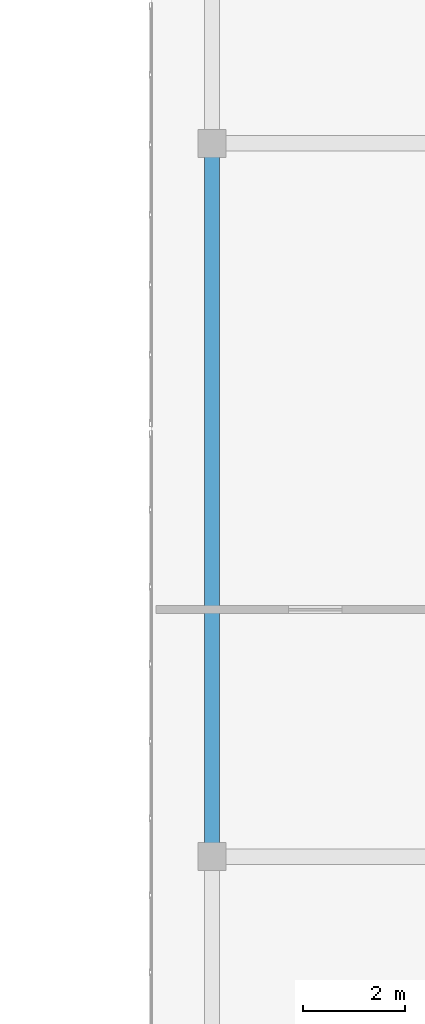
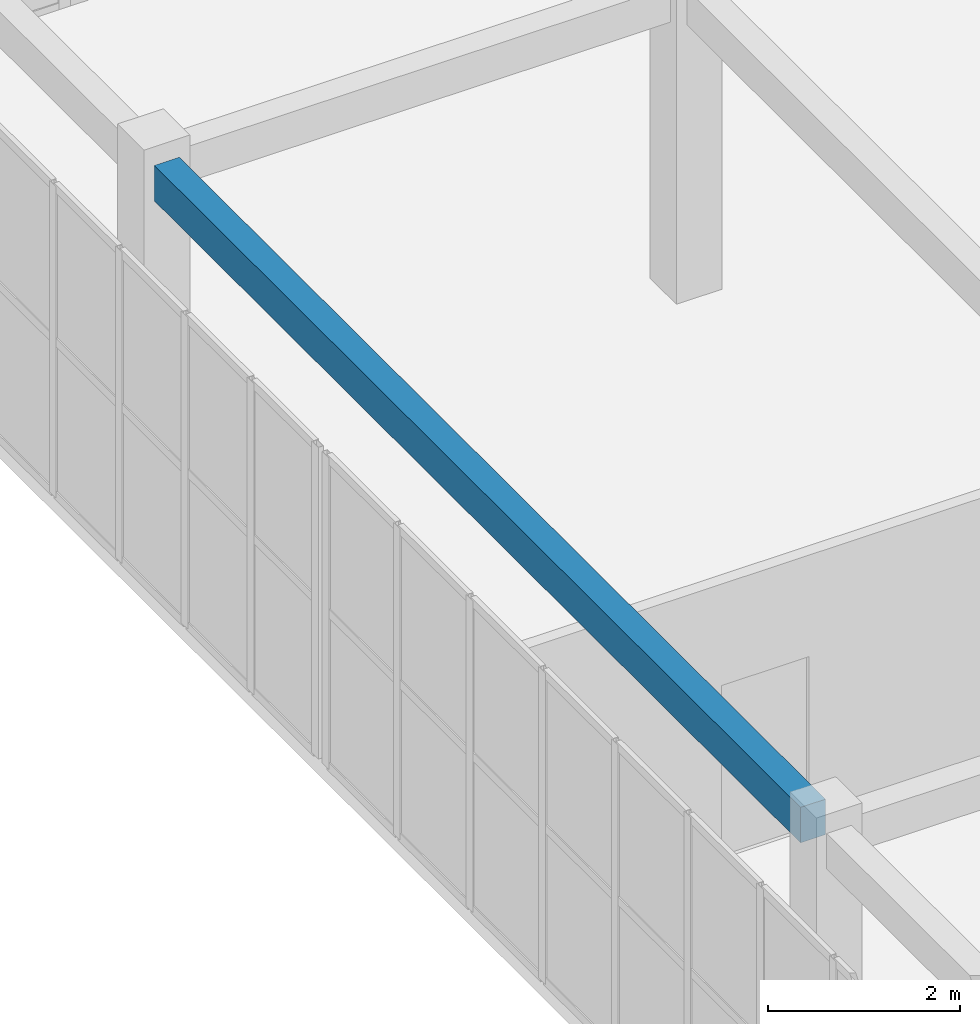
# One storey, part 49 of 140: 1 beam.
"""IFC4 building model written with IfcOpenShell, lengths in metres."""

from ifc_helpers import new_model, si_unit, direction, frame, origin, origin_2d, place, context, subcontext, project, spatial, rectangle, extrude, material, material_profile, profile_set, type_object, element, save


model = new_model("IFC4")

# Units and contexts
model_context = context("Model", 3, precision=1e-05, world=origin(), true_north=direction((0.0, 1.0)))
body_context = subcontext(model_context, "Body", "Model", "MODEL_VIEW")
ifc_project = project(units=[si_unit("LENGTHUNIT", "METRE"), si_unit("AREAUNIT", "SQUARE_METRE"), si_unit("VOLUMEUNIT", "CUBIC_METRE"), si_unit("PLANEANGLEUNIT", "RADIAN"), si_unit("MASSUNIT", "GRAM", prefix="KILO")], contexts=[model_context])

# Site, building, storey
site_placement = place(None, origin())
site = spatial("IfcSite", under=ifc_project, at=site_placement, CompositionType="ELEMENT")
building_placement = place(site_placement, origin())
building = spatial("IfcBuilding", under=site, at=building_placement, Name="Trelvath General Hospital", CompositionType="ELEMENT")
storey_placement = place(building_placement, frame((0.0, 0.0, 16.199951171875)))
storey = spatial("IfcBuildingStorey", under=building, at=storey_placement, Name="L04", CompositionType="ELEMENT", Elevation=16.199951171875)

# Beam
ifc_material = material(Name="Concrete C35/45", Category="concrete")
ifc_material_profile = material_profile(ifc_material, rectangle(XDim=0.300048828125, YDim=0.449951171875, at=origin_2d()), Name="RCB300x450")
ifc_profile_set = profile_set([ifc_material_profile], Name="Concrete C35/45")
beam_type = type_object("IfcBeamType", Name="Beam RC300x450", PredefinedType="BEAM", material=ifc_profile_set)
beam_placement = place(storey_placement, frame((54.39990234375, 59.071044921875, 3.735107421875), z_axis=(0.0, 1.0, 0.0), x_axis=(-1.0, 0.0, 0.0)))
element("IfcBeam", 1, at=beam_placement, inside=storey, type_object=beam_type, Name="Cube Interior Ring Beam CUBE-W-T1 L04", PredefinedType="BEAM", context=body_context, shape_type="SweptSolid", body=[
    extrude(rectangle(XDim=0.300048828125, YDim=0.449951171875, at=origin_2d()), origin(), (0.0, 0.0, 1.0), 13.4580078125),
])

save(model, "model.ifc")
